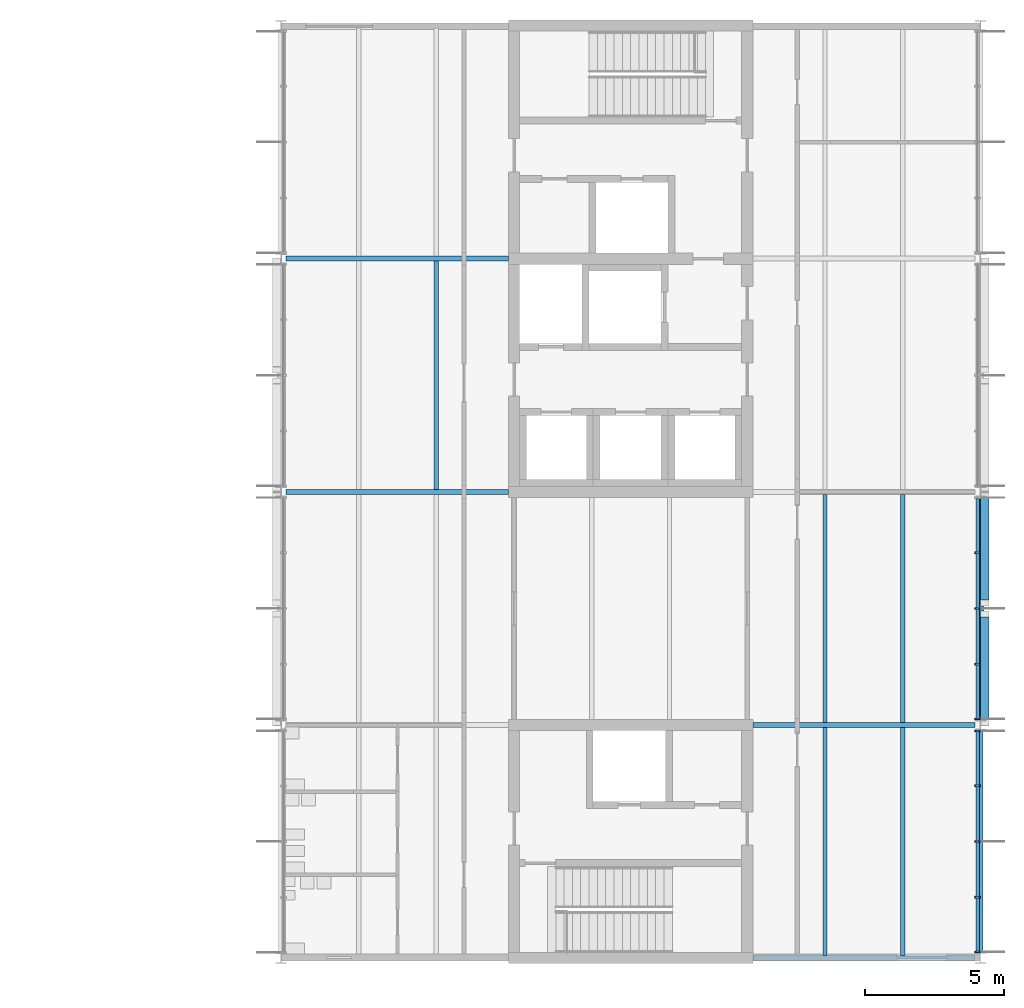
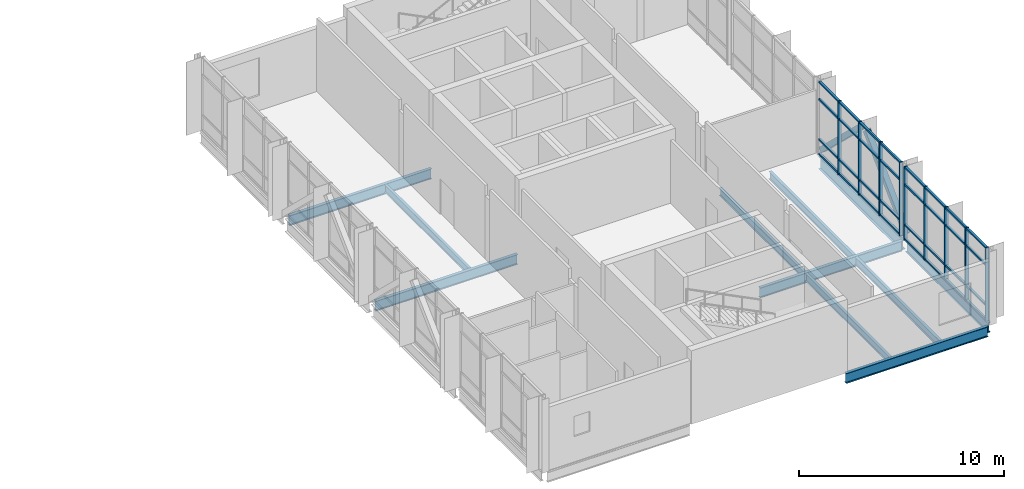
# One storey, part 5 of 14: 43 members, 11 beams, 2 elements without a shape of their own.
"""IFC4 building model written with IfcOpenShell, lengths in metres."""

from ifc_helpers import new_model, si_unit, direction, frame, origin, origin_2d, place, context, subcontext, project, spatial, rectangle, hollow_rectangle, i_section, extrude, material, material_profile, profile_set, type_object, element, aggregate, save


model = new_model("IFC4")

# Units and contexts
model_context = context("Model", 3, precision=1e-05, world=origin(), true_north=direction((0.0, 1.0)))
body_context = subcontext(model_context, "Body", "Model", "MODEL_VIEW")
ifc_project = project(units=[si_unit("LENGTHUNIT", "METRE"), si_unit("AREAUNIT", "SQUARE_METRE"), si_unit("VOLUMEUNIT", "CUBIC_METRE"), si_unit("PLANEANGLEUNIT", "RADIAN"), si_unit("MASSUNIT", "GRAM", prefix="KILO")], contexts=[model_context])

# Site, building, storey
site_placement = place(None, origin())
site = spatial("IfcSite", under=ifc_project, at=site_placement, CompositionType="ELEMENT")
building_placement = place(site_placement, origin())
building = spatial("IfcBuilding", under=site, at=building_placement, Name="Hlaing Beacon Police Headquarters", CompositionType="ELEMENT")
storey_placement = place(building_placement, frame((0.0, 0.0, 27.89990234375)))
storey = spatial("IfcBuildingStorey", under=building, at=storey_placement, Name="L06", CompositionType="ELEMENT", Elevation=27.89990234375)

# Members
ifc_material_1 = material(Name="Steel ASTM A500 Grade C", Category="steel")
ifc_material_profile_1 = material_profile(ifc_material_1, hollow_rectangle(XDim=0.3046875, YDim=0.3046875, WallThickness=0.009521484375, at=origin_2d()), Name="HSS12x12x3/8")
ifc_profile_set_1 = profile_set([ifc_material_profile_1], Name="Steel ASTM A500 Grade C")
member_type_1 = type_object("IfcMemberType", Name="Chevron brace HSS12x12x3/8", PredefinedType="BRACE", material=ifc_profile_set_1)
for number, where, z_axis, x_axis, name in (
    (1, (126.156494140625, 42.077880859375, 0.110107421875), (0.0, 0.720208206654, 0.693757983067), (-1.0, 0.0, 0.0), "STR-BR-L06-R6a"),
    (2, (126.156494140625, 50.322021484375, 0.110107421875), (0.0, -0.720208206654, 0.693757983067), (1.0, 0.0, 0.0), "STR-BR-L06-R6b"),
):
    element("IfcMember", number, at=place(storey_placement, frame(where, z_axis=z_axis, x_axis=x_axis)), inside=storey, type_object=member_type_1, Name=name, PredefinedType="BRACE", context=body_context, shape_type="SweptSolid", body=[
        extrude(hollow_rectangle(XDim=0.3046875, YDim=0.3046875, WallThickness=0.009521484375, at=origin_2d()), origin(), (0.0, 0.0, 1.0), 5.44580078125),
    ])

# Beams
ifc_material_2 = material(Name="Steel ASTM A992 Grade 50", Category="steel")
ifc_material_profile_2 = material_profile(ifc_material_2, i_section(OverallWidth=0.177978515625, OverallDepth=0.599365234375, WebThickness=0.010009765625, FlangeThickness=0.012939453125, FilletRadius=0.012939453125, at=origin_2d()), Name="W24x55")
ifc_profile_set_2 = profile_set([ifc_material_profile_2], Name="Steel ASTM A992 Grade 50")
beam_type_1 = type_object("IfcBeamType", Name="Girder W24x55", PredefinedType="BEAM", material=ifc_profile_set_2)
beam_1_placement = place(storey_placement, frame((117.800048828125, 33.60009765625, -0.4296875), z_axis=(1.0, 0.0, 0.0), x_axis=(0.0, 1.0, 0.0)))
element("IfcBeam", 3, at=beam_1_placement, inside=storey, type_object=beam_type_1, Name="STR-BM-L06-GX-Q5-R5", PredefinedType="BEAM", context=body_context, shape_type="SweptSolid", body=[
    extrude(i_section(OverallWidth=0.177978515625, OverallDepth=0.599365234375, WebThickness=0.010009765625, FlangeThickness=0.012939453125, FilletRadius=0.012939453125, at=origin_2d()), origin(), (0.0, 0.0, 1.0), 8.0009765625),
])
for number, where, z_axis, x_axis, name in (
    (4, (117.800048828125, 42.0, -0.4296875), (1.0, 0.0, 0.0), (0.0, 1.0, 0.0), "STR-BM-L06-GX-Q6-R6"),
    (5, (100.987060546875, 50.39990234375, -0.4296875), (1.0, 0.0, 0.0), (0.0, 1.0, 0.0), "STR-BM-L06-GX-N7-P7"),
    (6, (100.987060546875, 58.800048828125, -0.4296875), (1.0, 0.0, 0.0), (0.0, 1.0, 0.0), "STR-BM-L06-GX-N8-P8"),
):
    element("IfcBeam", number, at=place(storey_placement, frame(where, z_axis=z_axis, x_axis=x_axis)), inside=storey, type_object=beam_type_1, Name=name, PredefinedType="BEAM", context=body_context, shape_type="SweptSolid", body=[
        extrude(i_section(OverallWidth=0.177978515625, OverallDepth=0.599365234375, WebThickness=0.010009765625, FlangeThickness=0.012939453125, FilletRadius=0.012939453125, at=origin_2d()), origin(), (0.0, 0.0, 1.0), 8.012939453125),
    ])
beam_2_placement = place(storey_placement, frame((126.0, 33.797119140625, -0.4296875), z_axis=(0.0, 1.0, 0.0), x_axis=(-1.0, 0.0, 0.0)))
element("IfcBeam", 7, at=beam_2_placement, inside=storey, type_object=beam_type_1, Name="STR-BM-L06-GY-R5-R6", PredefinedType="BEAM", context=body_context, shape_type="SweptSolid", body=[
    extrude(i_section(OverallWidth=0.177978515625, OverallDepth=0.599365234375, WebThickness=0.010009765625, FlangeThickness=0.012939453125, FilletRadius=0.012939453125, at=origin_2d()), origin(), (0.0, 0.0, 1.0), 8.015869140625),
])
ifc_material_3 = material(Name="Steel ASTM A992 Grade 50", Category="steel")
ifc_material_profile_3 = material_profile(ifc_material_3, i_section(OverallWidth=0.2666015625, OverallDepth=0.75439453125, WebThickness=0.01318359375, FlangeThickness=0.01708984375, FilletRadius=0.0166015625, at=origin_2d()), Name="W30x99")
ifc_profile_set_3 = profile_set([ifc_material_profile_3], Name="Steel ASTM A992 Grade 50")
beam_type_2 = type_object("IfcBeamType", Name="Girder W30x99", PredefinedType="BEAM", material=ifc_profile_set_3)
beam_3_placement = place(storey_placement, frame((126.0, 42.18701171875, -0.507080078125), z_axis=(0.0, 1.0, 0.0), x_axis=(-1.0, 0.0, 0.0)))
element("IfcBeam", 8, at=beam_3_placement, inside=storey, type_object=beam_type_2, Name="STR-BM-L06-GY-R6-R7", PredefinedType="BEAM", context=body_context, shape_type="SweptSolid", body=[
    extrude(i_section(OverallWidth=0.2666015625, OverallDepth=0.75439453125, WebThickness=0.01318359375, FlangeThickness=0.01708984375, FilletRadius=0.0166015625, at=origin_2d()), origin(), (0.0, 0.0, 1.0), 8.02587890625),
])

# Curtain wall, members
ifc_material_4 = material(Name="Aluminium frame with solar control glazing", Category="aluminium")
curtain_wall_type_1 = type_object("IfcCurtainWallType", Name="Unitised curtain wall 8.03 x 4.37", PredefinedType="NOTDEFINED", material=ifc_material_4)
curtain_wall_1_placement = place(storey_placement, origin())
curtain_wall_1 = element("IfcCurtainWall", 9, at=curtain_wall_1_placement, inside=storey, type_object=curtain_wall_type_1, Name="ENV-CW-L06-E001", PredefinedType="NOTDEFINED")
ifc_material_5 = material(Name="Aluminium", Category="aluminium")
ifc_material_profile_4 = material_profile(ifc_material_5, rectangle(XDim=0.199951171875, YDim=0.06005859375, at=origin_2d()), Name="Mullion 60x200")
ifc_profile_set_4 = profile_set([ifc_material_profile_4], Name="Aluminium")
member_type_2 = type_object("IfcMemberType", Name="Mullion 60x200", PredefinedType="MULLION", material=ifc_profile_set_4)
member_1_placement = place(storey_placement, frame((125.89990234375, 33.820556640625, 0.0), z_axis=(0.0, 0.0, 1.0), x_axis=(-1.0, 0.0, 0.0)))
member_1 = element("IfcMember", 10, at=member_1_placement, type_object=member_type_2, Name="CW-L06-E001 mullion 1", PredefinedType="MULLION", context=body_context, shape_type="SweptSolid", body=[
    extrude(rectangle(XDim=0.199951171875, YDim=0.06005859375, at=origin_2d()), origin(), (0.0, 0.0, 1.0), 4.3701171875),
])
member_2_placement = place(storey_placement, frame((125.89990234375, 35.79736328125, 0.0), z_axis=(0.0, 0.0, 1.0), x_axis=(-1.0, 0.0, 0.0)))
member_2 = element("IfcMember", 11, at=member_2_placement, type_object=member_type_2, Name="CW-L06-E001 mullion 2", PredefinedType="MULLION", context=body_context, shape_type="SweptSolid", body=[
    extrude(rectangle(XDim=0.199951171875, YDim=0.06005859375, at=origin_2d()), origin(), (0.0, 0.0, 1.0), 4.3701171875),
])
member_3_placement = place(storey_placement, frame((125.89990234375, 37.804443359375, 0.0), z_axis=(0.0, 0.0, 1.0), x_axis=(-1.0, 0.0, 0.0)))
member_3 = element("IfcMember", 12, at=member_3_placement, type_object=member_type_2, Name="CW-L06-E001 mullion 3", PredefinedType="MULLION", context=body_context, shape_type="SweptSolid", body=[
    extrude(rectangle(XDim=0.199951171875, YDim=0.06005859375, at=origin_2d()), origin(), (0.0, 0.0, 1.0), 4.3701171875),
])
member_4_placement = place(storey_placement, frame((125.89990234375, 39.8115234375, 0.0), z_axis=(0.0, 0.0, 1.0), x_axis=(-1.0, 0.0, 0.0)))
member_4 = element("IfcMember", 13, at=member_4_placement, type_object=member_type_2, Name="CW-L06-E001 mullion 4", PredefinedType="MULLION", context=body_context, shape_type="SweptSolid", body=[
    extrude(rectangle(XDim=0.199951171875, YDim=0.06005859375, at=origin_2d()), origin(), (0.0, 0.0, 1.0), 4.3701171875),
])
member_5_placement = place(storey_placement, frame((125.89990234375, 41.788330078125, 0.0), z_axis=(0.0, 0.0, 1.0), x_axis=(-1.0, 0.0, 0.0)))
member_5 = element("IfcMember", 14, at=member_5_placement, type_object=member_type_2, Name="CW-L06-E001 mullion 5", PredefinedType="MULLION", context=body_context, shape_type="SweptSolid", body=[
    extrude(rectangle(XDim=0.199951171875, YDim=0.06005859375, at=origin_2d()), origin(), (0.0, 0.0, 1.0), 4.3701171875),
])

ifc_material_6 = material(Name="Aluminium frame with solar control glazing", Category="aluminium")
curtain_wall_type_2 = type_object("IfcCurtainWallType", Name="Unitised curtain wall 8.04 x 4.37", PredefinedType="NOTDEFINED", material=ifc_material_6)
curtain_wall_2_placement = place(storey_placement, origin())
curtain_wall_2 = element("IfcCurtainWall", 15, at=curtain_wall_2_placement, inside=storey, type_object=curtain_wall_type_2, Name="ENV-CW-L06-E002", PredefinedType="NOTDEFINED")
member_6_placement = place(storey_placement, frame((125.89990234375, 42.211669921875, 0.0), z_axis=(0.0, 0.0, 1.0), x_axis=(-1.0, 0.0, 0.0)))
member_6 = element("IfcMember", 16, at=member_6_placement, type_object=member_type_2, Name="CW-L06-E002 mullion 1", PredefinedType="MULLION", context=body_context, shape_type="SweptSolid", body=[
    extrude(rectangle(XDim=0.199951171875, YDim=0.06005859375, at=origin_2d()), origin(), (0.0, 0.0, 1.0), 4.3701171875),
])
member_7_placement = place(storey_placement, frame((125.89990234375, 44.19091796875, 0.0), z_axis=(0.0, 0.0, 1.0), x_axis=(-1.0, 0.0, 0.0)))
member_7 = element("IfcMember", 17, at=member_7_placement, type_object=member_type_2, Name="CW-L06-E002 mullion 2", PredefinedType="MULLION", context=body_context, shape_type="SweptSolid", body=[
    extrude(rectangle(XDim=0.199951171875, YDim=0.06005859375, at=origin_2d()), origin(), (0.0, 0.0, 1.0), 4.3701171875),
])
member_8_placement = place(storey_placement, frame((125.89990234375, 46.199951171875, 0.0), z_axis=(0.0, 0.0, 1.0), x_axis=(-1.0, 0.0, 0.0)))
member_8 = element("IfcMember", 18, at=member_8_placement, type_object=member_type_2, Name="CW-L06-E002 mullion 3", PredefinedType="MULLION", context=body_context, shape_type="SweptSolid", body=[
    extrude(rectangle(XDim=0.199951171875, YDim=0.06005859375, at=origin_2d()), origin(), (0.0, 0.0, 1.0), 4.3701171875),
])
member_9_placement = place(storey_placement, frame((125.89990234375, 48.209228515625, 0.0), z_axis=(0.0, 0.0, 1.0), x_axis=(-1.0, 0.0, 0.0)))
member_9 = element("IfcMember", 19, at=member_9_placement, type_object=member_type_2, Name="CW-L06-E002 mullion 4", PredefinedType="MULLION", context=body_context, shape_type="SweptSolid", body=[
    extrude(rectangle(XDim=0.199951171875, YDim=0.06005859375, at=origin_2d()), origin(), (0.0, 0.0, 1.0), 4.3701171875),
])

# Beams
ifc_material_7 = material(Name="Steel ASTM A992 Grade 50", Category="steel")
ifc_material_profile_5 = material_profile(ifc_material_7, i_section(OverallWidth=0.15234375, OverallDepth=0.449462890625, WebThickness=0.007568359375, FlangeThickness=0.0107421875, FilletRadius=0.01025390625, at=origin_2d()), Name="W18x35")
ifc_profile_set_5 = profile_set([ifc_material_profile_5], Name="Steel ASTM A992 Grade 50")
beam_type_3 = type_object("IfcBeamType", Name="Secondary beam W18x35", PredefinedType="BEAM", material=ifc_profile_set_5)
for number, where, z_axis, x_axis, name in (
    (20, (106.39990234375, 50.489013671875, -0.354736328125), (0.0, 1.0, 0.0), (-1.0, 0.0, 0.0), "STR-BM-L06-SB-N7-y2"),
    (21, (120.39990234375, 33.68896484375, -0.354736328125), (0.0, 1.0, 0.0), (-1.0, 0.0, 0.0), "STR-BM-L06-SB-Q5-y1"),
    (22, (123.199951171875, 33.68896484375, -0.354736328125), (0.0, 1.0, 0.0), (-1.0, 0.0, 0.0), "STR-BM-L06-SB-Q5-y2"),
    (23, (120.39990234375, 42.089111328125, -0.354736328125), (0.0, 1.0, 0.0), (-1.0, 0.0, 0.0), "STR-BM-L06-SB-Q6-y1"),
    (24, (123.199951171875, 42.089111328125, -0.354736328125), (0.0, 1.0, 0.0), (-1.0, 0.0, 0.0), "STR-BM-L06-SB-Q6-y2"),
):
    element("IfcBeam", number, at=place(storey_placement, frame(where, z_axis=z_axis, x_axis=x_axis)), inside=storey, type_object=beam_type_3, Name=name, PredefinedType="BEAM", context=body_context, shape_type="SweptSolid", body=[
        extrude(i_section(OverallWidth=0.15234375, OverallDepth=0.449462890625, WebThickness=0.007568359375, FlangeThickness=0.0107421875, FilletRadius=0.01025390625, at=origin_2d()), origin(), (0.0, 0.0, 1.0), 8.221923828125),
    ])

# Member
ifc_material_8 = material(Name="Aluminium", Category="aluminium")
ifc_material_profile_6 = material_profile(ifc_material_8, rectangle(XDim=0.1201171875, YDim=0.10009765625, at=origin_2d()), Name="Transom 120x100")
ifc_profile_set_6 = profile_set([ifc_material_profile_6], Name="Aluminium")
member_type_3 = type_object("IfcMemberType", Name="Transom 120x100", PredefinedType="USERDEFINED", material=ifc_profile_set_6)
member_10_placement = place(storey_placement, frame((125.89990234375, 33.8505859375, 0.050048828125), z_axis=(0.0, 1.0, 0.0), x_axis=(-1.0, 0.0, 0.0)))
member_10 = element("IfcMember", 25, at=member_10_placement, type_object=member_type_3, Name="CW-L06-E001 transom 1.1", ObjectType="TRANSOM", PredefinedType="USERDEFINED", context=body_context, shape_type="SweptSolid", body=[
    extrude(rectangle(XDim=0.1201171875, YDim=0.10009765625, at=origin_2d()), origin(), (0.0, 0.0, 1.0), 1.9169921875),
])

member_11_placement = place(storey_placement, frame((125.89990234375, 33.8505859375, 0.900146484375), z_axis=(0.0, 1.0, 0.0), x_axis=(-1.0, 0.0, 0.0)))
member_11 = element("IfcMember", 26, at=member_11_placement, type_object=member_type_3, Name="CW-L06-E001 transom 1.2", ObjectType="TRANSOM", PredefinedType="USERDEFINED", context=body_context, shape_type="SweptSolid", body=[
    extrude(rectangle(XDim=0.1201171875, YDim=0.10009765625, at=origin_2d()), origin(), (0.0, 0.0, 1.0), 1.9169921875),
])

member_12_placement = place(storey_placement, frame((125.89990234375, 33.8505859375, 3.300048828125), z_axis=(0.0, 1.0, 0.0), x_axis=(-1.0, 0.0, 0.0)))
member_12 = element("IfcMember", 27, at=member_12_placement, type_object=member_type_3, Name="CW-L06-E001 transom 1.3", ObjectType="TRANSOM", PredefinedType="USERDEFINED", context=body_context, shape_type="SweptSolid", body=[
    extrude(rectangle(XDim=0.1201171875, YDim=0.10009765625, at=origin_2d()), origin(), (0.0, 0.0, 1.0), 1.9169921875),
])

member_13_placement = place(storey_placement, frame((125.89990234375, 33.8505859375, 4.320068359375), z_axis=(0.0, 1.0, 0.0), x_axis=(-1.0, 0.0, 0.0)))
member_13 = element("IfcMember", 28, at=member_13_placement, type_object=member_type_3, Name="CW-L06-E001 transom 1.4", ObjectType="TRANSOM", PredefinedType="USERDEFINED", context=body_context, shape_type="SweptSolid", body=[
    extrude(rectangle(XDim=0.1201171875, YDim=0.10009765625, at=origin_2d()), origin(), (0.0, 0.0, 1.0), 1.9169921875),
])

member_14_placement = place(storey_placement, frame((125.89990234375, 35.827392578125, 0.050048828125), z_axis=(0.0, 1.0, 0.0), x_axis=(-1.0, 0.0, 0.0)))
member_14 = element("IfcMember", 29, at=member_14_placement, type_object=member_type_3, Name="CW-L06-E001 transom 2.1", ObjectType="TRANSOM", PredefinedType="USERDEFINED", context=body_context, shape_type="SweptSolid", body=[
    extrude(rectangle(XDim=0.1201171875, YDim=0.10009765625, at=origin_2d()), origin(), (0.0, 0.0, 1.0), 1.947021484375),
])

member_15_placement = place(storey_placement, frame((125.89990234375, 35.827392578125, 0.900146484375), z_axis=(0.0, 1.0, 0.0), x_axis=(-1.0, 0.0, 0.0)))
member_15 = element("IfcMember", 30, at=member_15_placement, type_object=member_type_3, Name="CW-L06-E001 transom 2.2", ObjectType="TRANSOM", PredefinedType="USERDEFINED", context=body_context, shape_type="SweptSolid", body=[
    extrude(rectangle(XDim=0.1201171875, YDim=0.10009765625, at=origin_2d()), origin(), (0.0, 0.0, 1.0), 1.947021484375),
])

member_16_placement = place(storey_placement, frame((125.89990234375, 35.827392578125, 3.300048828125), z_axis=(0.0, 1.0, 0.0), x_axis=(-1.0, 0.0, 0.0)))
member_16 = element("IfcMember", 31, at=member_16_placement, type_object=member_type_3, Name="CW-L06-E001 transom 2.3", ObjectType="TRANSOM", PredefinedType="USERDEFINED", context=body_context, shape_type="SweptSolid", body=[
    extrude(rectangle(XDim=0.1201171875, YDim=0.10009765625, at=origin_2d()), origin(), (0.0, 0.0, 1.0), 1.947021484375),
])

member_17_placement = place(storey_placement, frame((125.89990234375, 35.827392578125, 4.320068359375), z_axis=(0.0, 1.0, 0.0), x_axis=(-1.0, 0.0, 0.0)))
member_17 = element("IfcMember", 32, at=member_17_placement, type_object=member_type_3, Name="CW-L06-E001 transom 2.4", ObjectType="TRANSOM", PredefinedType="USERDEFINED", context=body_context, shape_type="SweptSolid", body=[
    extrude(rectangle(XDim=0.1201171875, YDim=0.10009765625, at=origin_2d()), origin(), (0.0, 0.0, 1.0), 1.947021484375),
])

member_18_placement = place(storey_placement, frame((125.89990234375, 37.83447265625, 0.050048828125), z_axis=(0.0, 1.0, 0.0), x_axis=(-1.0, 0.0, 0.0)))
member_18 = element("IfcMember", 33, at=member_18_placement, type_object=member_type_3, Name="CW-L06-E001 transom 3.1", ObjectType="TRANSOM", PredefinedType="USERDEFINED", context=body_context, shape_type="SweptSolid", body=[
    extrude(rectangle(XDim=0.1201171875, YDim=0.10009765625, at=origin_2d()), origin(), (0.0, 0.0, 1.0), 1.947021484375),
])

member_19_placement = place(storey_placement, frame((125.89990234375, 37.83447265625, 0.900146484375), z_axis=(0.0, 1.0, 0.0), x_axis=(-1.0, 0.0, 0.0)))
member_19 = element("IfcMember", 34, at=member_19_placement, type_object=member_type_3, Name="CW-L06-E001 transom 3.2", ObjectType="TRANSOM", PredefinedType="USERDEFINED", context=body_context, shape_type="SweptSolid", body=[
    extrude(rectangle(XDim=0.1201171875, YDim=0.10009765625, at=origin_2d()), origin(), (0.0, 0.0, 1.0), 1.947021484375),
])

member_20_placement = place(storey_placement, frame((125.89990234375, 37.83447265625, 3.300048828125), z_axis=(0.0, 1.0, 0.0), x_axis=(-1.0, 0.0, 0.0)))
member_20 = element("IfcMember", 35, at=member_20_placement, type_object=member_type_3, Name="CW-L06-E001 transom 3.3", ObjectType="TRANSOM", PredefinedType="USERDEFINED", context=body_context, shape_type="SweptSolid", body=[
    extrude(rectangle(XDim=0.1201171875, YDim=0.10009765625, at=origin_2d()), origin(), (0.0, 0.0, 1.0), 1.947021484375),
])

member_21_placement = place(storey_placement, frame((125.89990234375, 37.83447265625, 4.320068359375), z_axis=(0.0, 1.0, 0.0), x_axis=(-1.0, 0.0, 0.0)))
member_21 = element("IfcMember", 36, at=member_21_placement, type_object=member_type_3, Name="CW-L06-E001 transom 3.4", ObjectType="TRANSOM", PredefinedType="USERDEFINED", context=body_context, shape_type="SweptSolid", body=[
    extrude(rectangle(XDim=0.1201171875, YDim=0.10009765625, at=origin_2d()), origin(), (0.0, 0.0, 1.0), 1.947021484375),
])

member_22_placement = place(storey_placement, frame((125.89990234375, 39.84130859375, 0.050048828125), z_axis=(0.0, 1.0, 0.0), x_axis=(-1.0, 0.0, 0.0)))
member_22 = element("IfcMember", 37, at=member_22_placement, type_object=member_type_3, Name="CW-L06-E001 transom 4.1", ObjectType="TRANSOM", PredefinedType="USERDEFINED", context=body_context, shape_type="SweptSolid", body=[
    extrude(rectangle(XDim=0.1201171875, YDim=0.10009765625, at=origin_2d()), origin(), (0.0, 0.0, 1.0), 1.9169921875),
])

member_23_placement = place(storey_placement, frame((125.89990234375, 39.84130859375, 0.900146484375), z_axis=(0.0, 1.0, 0.0), x_axis=(-1.0, 0.0, 0.0)))
member_23 = element("IfcMember", 38, at=member_23_placement, type_object=member_type_3, Name="CW-L06-E001 transom 4.2", ObjectType="TRANSOM", PredefinedType="USERDEFINED", context=body_context, shape_type="SweptSolid", body=[
    extrude(rectangle(XDim=0.1201171875, YDim=0.10009765625, at=origin_2d()), origin(), (0.0, 0.0, 1.0), 1.9169921875),
])

member_24_placement = place(storey_placement, frame((125.89990234375, 39.84130859375, 3.300048828125), z_axis=(0.0, 1.0, 0.0), x_axis=(-1.0, 0.0, 0.0)))
member_24 = element("IfcMember", 39, at=member_24_placement, type_object=member_type_3, Name="CW-L06-E001 transom 4.3", ObjectType="TRANSOM", PredefinedType="USERDEFINED", context=body_context, shape_type="SweptSolid", body=[
    extrude(rectangle(XDim=0.1201171875, YDim=0.10009765625, at=origin_2d()), origin(), (0.0, 0.0, 1.0), 1.9169921875),
])

member_25_placement = place(storey_placement, frame((125.89990234375, 39.84130859375, 4.320068359375), z_axis=(0.0, 1.0, 0.0), x_axis=(-1.0, 0.0, 0.0)))
member_25 = element("IfcMember", 40, at=member_25_placement, type_object=member_type_3, Name="CW-L06-E001 transom 4.4", ObjectType="TRANSOM", PredefinedType="USERDEFINED", context=body_context, shape_type="SweptSolid", body=[
    extrude(rectangle(XDim=0.1201171875, YDim=0.10009765625, at=origin_2d()), origin(), (0.0, 0.0, 1.0), 1.9169921875),
])

aggregate(curtain_wall_1, [member_1, member_2, member_3, member_4, member_5, member_10, member_11, member_12, member_13, member_14, member_15, member_16, member_17, member_18, member_19, member_20, member_21, member_22, member_23, member_24, member_25])

member_26_placement = place(storey_placement, frame((125.89990234375, 42.24169921875, 0.050048828125), z_axis=(0.0, 1.0, 0.0), x_axis=(-1.0, 0.0, 0.0)))
member_26 = element("IfcMember", 41, at=member_26_placement, type_object=member_type_3, Name="CW-L06-E002 transom 1.1", ObjectType="TRANSOM", PredefinedType="USERDEFINED", context=body_context, shape_type="SweptSolid", body=[
    extrude(rectangle(XDim=0.1201171875, YDim=0.10009765625, at=origin_2d()), origin(), (0.0, 0.0, 1.0), 1.919189453125),
])

member_27_placement = place(storey_placement, frame((125.89990234375, 42.24169921875, 0.900146484375), z_axis=(0.0, 1.0, 0.0), x_axis=(-1.0, 0.0, 0.0)))
member_27 = element("IfcMember", 42, at=member_27_placement, type_object=member_type_3, Name="CW-L06-E002 transom 1.2", ObjectType="TRANSOM", PredefinedType="USERDEFINED", context=body_context, shape_type="SweptSolid", body=[
    extrude(rectangle(XDim=0.1201171875, YDim=0.10009765625, at=origin_2d()), origin(), (0.0, 0.0, 1.0), 1.919189453125),
])

member_28_placement = place(storey_placement, frame((125.89990234375, 42.24169921875, 3.300048828125), z_axis=(0.0, 1.0, 0.0), x_axis=(-1.0, 0.0, 0.0)))
member_28 = element("IfcMember", 43, at=member_28_placement, type_object=member_type_3, Name="CW-L06-E002 transom 1.3", ObjectType="TRANSOM", PredefinedType="USERDEFINED", context=body_context, shape_type="SweptSolid", body=[
    extrude(rectangle(XDim=0.1201171875, YDim=0.10009765625, at=origin_2d()), origin(), (0.0, 0.0, 1.0), 1.919189453125),
])

member_29_placement = place(storey_placement, frame((125.89990234375, 42.24169921875, 4.320068359375), z_axis=(0.0, 1.0, 0.0), x_axis=(-1.0, 0.0, 0.0)))
member_29 = element("IfcMember", 44, at=member_29_placement, type_object=member_type_3, Name="CW-L06-E002 transom 1.4", ObjectType="TRANSOM", PredefinedType="USERDEFINED", context=body_context, shape_type="SweptSolid", body=[
    extrude(rectangle(XDim=0.1201171875, YDim=0.10009765625, at=origin_2d()), origin(), (0.0, 0.0, 1.0), 1.919189453125),
])

member_30_placement = place(storey_placement, frame((125.89990234375, 44.220703125, 0.050048828125), z_axis=(0.0, 1.0, 0.0), x_axis=(-1.0, 0.0, 0.0)))
member_30 = element("IfcMember", 45, at=member_30_placement, type_object=member_type_3, Name="CW-L06-E002 transom 2.1", ObjectType="TRANSOM", PredefinedType="USERDEFINED", context=body_context, shape_type="SweptSolid", body=[
    extrude(rectangle(XDim=0.1201171875, YDim=0.10009765625, at=origin_2d()), origin(), (0.0, 0.0, 1.0), 1.94921875),
])

member_31_placement = place(storey_placement, frame((125.89990234375, 44.220703125, 0.900146484375), z_axis=(0.0, 1.0, 0.0), x_axis=(-1.0, 0.0, 0.0)))
member_31 = element("IfcMember", 46, at=member_31_placement, type_object=member_type_3, Name="CW-L06-E002 transom 2.2", ObjectType="TRANSOM", PredefinedType="USERDEFINED", context=body_context, shape_type="SweptSolid", body=[
    extrude(rectangle(XDim=0.1201171875, YDim=0.10009765625, at=origin_2d()), origin(), (0.0, 0.0, 1.0), 1.94921875),
])

member_32_placement = place(storey_placement, frame((125.89990234375, 44.220703125, 3.300048828125), z_axis=(0.0, 1.0, 0.0), x_axis=(-1.0, 0.0, 0.0)))
member_32 = element("IfcMember", 47, at=member_32_placement, type_object=member_type_3, Name="CW-L06-E002 transom 2.3", ObjectType="TRANSOM", PredefinedType="USERDEFINED", context=body_context, shape_type="SweptSolid", body=[
    extrude(rectangle(XDim=0.1201171875, YDim=0.10009765625, at=origin_2d()), origin(), (0.0, 0.0, 1.0), 1.94921875),
])

member_33_placement = place(storey_placement, frame((125.89990234375, 44.220703125, 4.320068359375), z_axis=(0.0, 1.0, 0.0), x_axis=(-1.0, 0.0, 0.0)))
member_33 = element("IfcMember", 48, at=member_33_placement, type_object=member_type_3, Name="CW-L06-E002 transom 2.4", ObjectType="TRANSOM", PredefinedType="USERDEFINED", context=body_context, shape_type="SweptSolid", body=[
    extrude(rectangle(XDim=0.1201171875, YDim=0.10009765625, at=origin_2d()), origin(), (0.0, 0.0, 1.0), 1.94921875),
])

member_34_placement = place(storey_placement, frame((125.89990234375, 46.22998046875, 0.050048828125), z_axis=(0.0, 1.0, 0.0), x_axis=(-1.0, 0.0, 0.0)))
member_34 = element("IfcMember", 49, at=member_34_placement, type_object=member_type_3, Name="CW-L06-E002 transom 3.1", ObjectType="TRANSOM", PredefinedType="USERDEFINED", context=body_context, shape_type="SweptSolid", body=[
    extrude(rectangle(XDim=0.1201171875, YDim=0.10009765625, at=origin_2d()), origin(), (0.0, 0.0, 1.0), 1.94921875),
])

member_35_placement = place(storey_placement, frame((125.89990234375, 46.22998046875, 0.900146484375), z_axis=(0.0, 1.0, 0.0), x_axis=(-1.0, 0.0, 0.0)))
member_35 = element("IfcMember", 50, at=member_35_placement, type_object=member_type_3, Name="CW-L06-E002 transom 3.2", ObjectType="TRANSOM", PredefinedType="USERDEFINED", context=body_context, shape_type="SweptSolid", body=[
    extrude(rectangle(XDim=0.1201171875, YDim=0.10009765625, at=origin_2d()), origin(), (0.0, 0.0, 1.0), 1.94921875),
])

member_36_placement = place(storey_placement, frame((125.89990234375, 46.22998046875, 3.300048828125), z_axis=(0.0, 1.0, 0.0), x_axis=(-1.0, 0.0, 0.0)))
member_36 = element("IfcMember", 51, at=member_36_placement, type_object=member_type_3, Name="CW-L06-E002 transom 3.3", ObjectType="TRANSOM", PredefinedType="USERDEFINED", context=body_context, shape_type="SweptSolid", body=[
    extrude(rectangle(XDim=0.1201171875, YDim=0.10009765625, at=origin_2d()), origin(), (0.0, 0.0, 1.0), 1.94921875),
])

member_37_placement = place(storey_placement, frame((125.89990234375, 46.22998046875, 4.320068359375), z_axis=(0.0, 1.0, 0.0), x_axis=(-1.0, 0.0, 0.0)))
member_37 = element("IfcMember", 52, at=member_37_placement, type_object=member_type_3, Name="CW-L06-E002 transom 3.4", ObjectType="TRANSOM", PredefinedType="USERDEFINED", context=body_context, shape_type="SweptSolid", body=[
    extrude(rectangle(XDim=0.1201171875, YDim=0.10009765625, at=origin_2d()), origin(), (0.0, 0.0, 1.0), 1.94921875),
])

member_38_placement = place(storey_placement, frame((125.89990234375, 48.2392578125, 0.050048828125), z_axis=(0.0, 1.0, 0.0), x_axis=(-1.0, 0.0, 0.0)))
member_38 = element("IfcMember", 53, at=member_38_placement, type_object=member_type_3, Name="CW-L06-E002 transom 4.1", ObjectType="TRANSOM", PredefinedType="USERDEFINED", context=body_context, shape_type="SweptSolid", body=[
    extrude(rectangle(XDim=0.1201171875, YDim=0.10009765625, at=origin_2d()), origin(), (0.0, 0.0, 1.0), 1.919189453125),
])

member_39_placement = place(storey_placement, frame((125.89990234375, 48.2392578125, 0.900146484375), z_axis=(0.0, 1.0, 0.0), x_axis=(-1.0, 0.0, 0.0)))
member_39 = element("IfcMember", 54, at=member_39_placement, type_object=member_type_3, Name="CW-L06-E002 transom 4.2", ObjectType="TRANSOM", PredefinedType="USERDEFINED", context=body_context, shape_type="SweptSolid", body=[
    extrude(rectangle(XDim=0.1201171875, YDim=0.10009765625, at=origin_2d()), origin(), (0.0, 0.0, 1.0), 1.919189453125),
])

member_40_placement = place(storey_placement, frame((125.89990234375, 48.2392578125, 3.300048828125), z_axis=(0.0, 1.0, 0.0), x_axis=(-1.0, 0.0, 0.0)))
member_40 = element("IfcMember", 55, at=member_40_placement, type_object=member_type_3, Name="CW-L06-E002 transom 4.3", ObjectType="TRANSOM", PredefinedType="USERDEFINED", context=body_context, shape_type="SweptSolid", body=[
    extrude(rectangle(XDim=0.1201171875, YDim=0.10009765625, at=origin_2d()), origin(), (0.0, 0.0, 1.0), 1.919189453125),
])

member_41_placement = place(storey_placement, frame((125.89990234375, 48.2392578125, 4.320068359375), z_axis=(0.0, 1.0, 0.0), x_axis=(-1.0, 0.0, 0.0)))
member_41 = element("IfcMember", 56, at=member_41_placement, type_object=member_type_3, Name="CW-L06-E002 transom 4.4", ObjectType="TRANSOM", PredefinedType="USERDEFINED", context=body_context, shape_type="SweptSolid", body=[
    extrude(rectangle(XDim=0.1201171875, YDim=0.10009765625, at=origin_2d()), origin(), (0.0, 0.0, 1.0), 1.919189453125),
])

aggregate(curtain_wall_2, [member_6, member_7, member_8, member_9, member_26, member_27, member_28, member_29, member_30, member_31, member_32, member_33, member_34, member_35, member_36, member_37, member_38, member_39, member_40, member_41])

save(model, "model.ifc")
